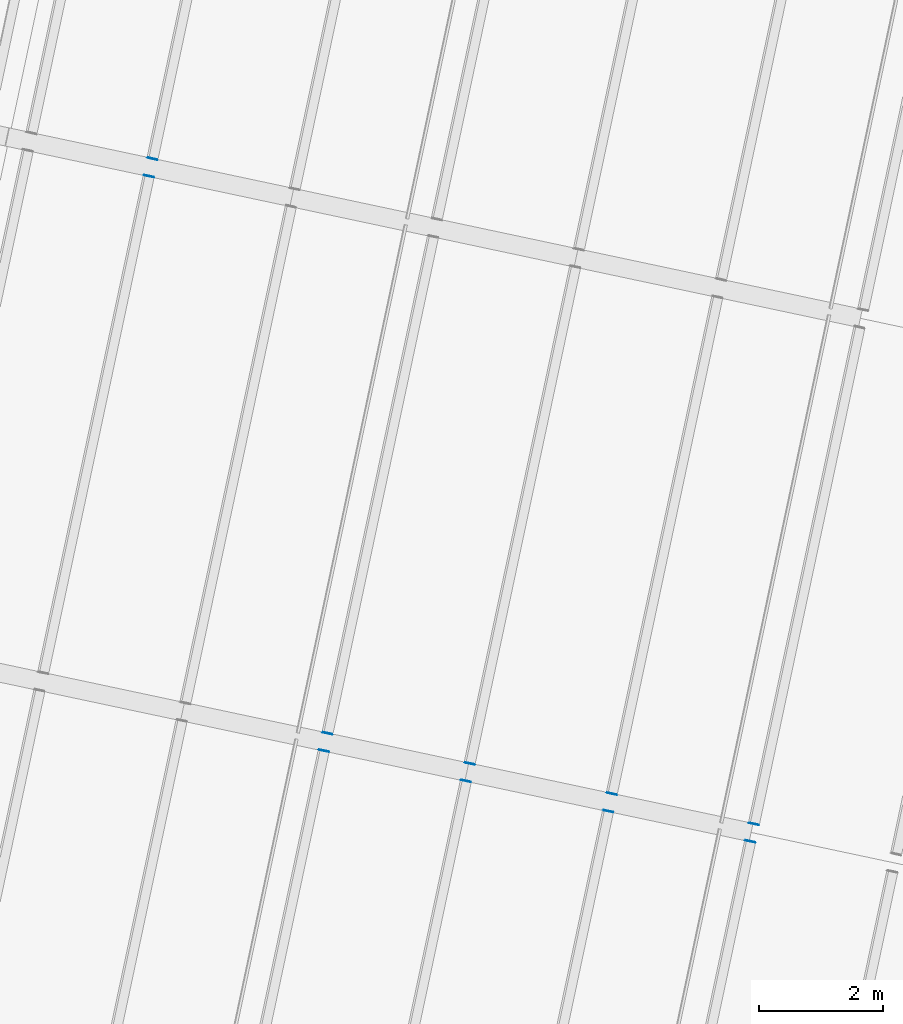
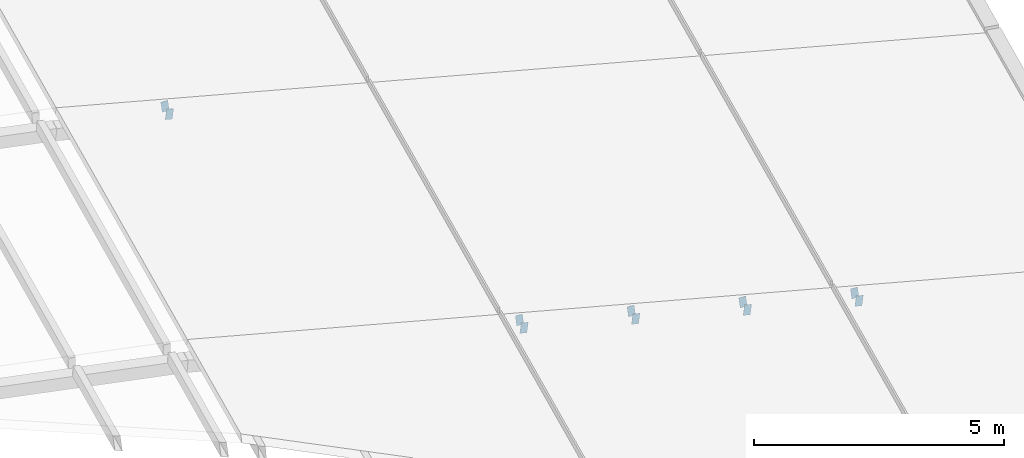
# One storey, part 158 of 196: 10 discrete accessories.
"""IFC4 building model written with IfcOpenShell, lengths in metres."""

from ifc_helpers import new_model, si_unit, direction, frame, origin, origin_2d, place, context, subcontext, project, spatial, rectangle, extrude, material, layer, layer_set, type_object, element, save


model = new_model("IFC4")

# Units and contexts
model_context = context("Model", 3, precision=1e-05, world=origin(), true_north=direction((0.0, 1.0)))
body_context = subcontext(model_context, "Body", "Model", "MODEL_VIEW")
ifc_project = project(units=[si_unit("LENGTHUNIT", "METRE"), si_unit("AREAUNIT", "SQUARE_METRE"), si_unit("VOLUMEUNIT", "CUBIC_METRE"), si_unit("PLANEANGLEUNIT", "RADIAN"), si_unit("MASSUNIT", "GRAM", prefix="KILO")], contexts=[model_context])

# Site, building, storey
site_placement = place(None, origin())
site = spatial("IfcSite", under=ifc_project, at=site_placement, CompositionType="ELEMENT")
building_placement = place(site_placement, origin())
building = spatial("IfcBuilding", under=site, at=building_placement, Name="Okhra Congress Centre", CompositionType="ELEMENT")
storey_placement = place(building_placement, frame((0.0, 0.0, 12.0)))
storey = spatial("IfcBuildingStorey", under=building, at=storey_placement, Name="L02", CompositionType="ELEMENT", Elevation=12.0)

# Discrete accessories
ifc_material = material(Name="Steel S355J2", Category="steel")
ifc_layer = layer(ifc_material, 0.011962890625)
ifc_layer_set = layer_set([ifc_layer], Name="Hollow section end cap 12 mm S355")
discrete_accessory_type = type_object("IfcDiscreteAccessoryType", Name="Hollow section end cap 12 mm S355", PredefinedType="BRACKET", material=ifc_layer_set)
for number, where, z_axis, x_axis, name in (
    (1, (245.392822265625, 94.551513671875, 1.36572265625), (0.203954254112, 0.978980419738, 0.0), (-0.971683248143, 0.20243401003, 0.121869343405), "Hollow section end cap"),
    (2, (247.69140625, 94.06298828125, 1.0771484375), (0.203954254112, 0.978980419738, 0.0), (-0.971683248143, 0.20243401003, 0.121869343405), "Hollow section end cap"),
    (3, (249.990234375, 93.574462890625, 0.78857421875), (0.203954254112, 0.978980419738, 0.0), (-0.971683248143, 0.20243401003, 0.121869343405), "Hollow section end cap"),
    (4, (252.288818359375, 93.085693359375, 0.5), (0.203954254112, 0.978980419738, 0.0), (-0.971683248143, 0.20243401003, 0.121869343405), "Hollow section end cap"),
    (5, (242.562744140625, 103.843017578125, 1.94287109375), (0.203954254112, 0.978980419738, 0.0), (-0.971683248143, 0.20243401003, 0.121869343405), "Hollow section end cap"),
    (6, (245.455078125, 94.844970703125, 1.36572265625), (-0.203954254112, -0.978980419738, 0.0), (0.971683248143, -0.20243401003, 0.121869343405), "Hollow section end cap"),
    (7, (247.75390625, 94.3564453125, 1.0771484375), (-0.203954254112, -0.978980419738, 0.0), (0.971683248143, -0.20243401003, 0.121869343405), "Hollow section end cap"),
    (8, (250.052490234375, 93.86767578125, 0.78857421875), (-0.203954254112, -0.978980419738, 0.0), (0.971683248143, -0.20243401003, 0.121869343405), "Hollow section end cap"),
    (9, (252.35107421875, 93.379150390625, 0.5), (-0.203954254112, -0.978980419738, 0.0), (0.971683248143, -0.20243401003, 0.121869343405), "Hollow section end cap"),
    (10, (242.625244140625, 104.136474609375, 1.94287109375), (-0.223376156329, -0.974732318528, 0.0), (0.967466811636, -0.221711144333, 0.121869343405), "Hollow section end cap"),
):
    element("IfcDiscreteAccessory", number, at=place(storey_placement, frame(where, z_axis=z_axis, x_axis=x_axis)), inside=storey, type_object=discrete_accessory_type, Name=name, PredefinedType="BRACKET", context=body_context, shape_type="SweptSolid", body=[
        extrude(rectangle(XDim=0.14990234375, YDim=0.25, at=origin_2d()), origin(), (0.0, 0.0, 1.0), 0.011962890625),
    ])

save(model, "model.ifc")
